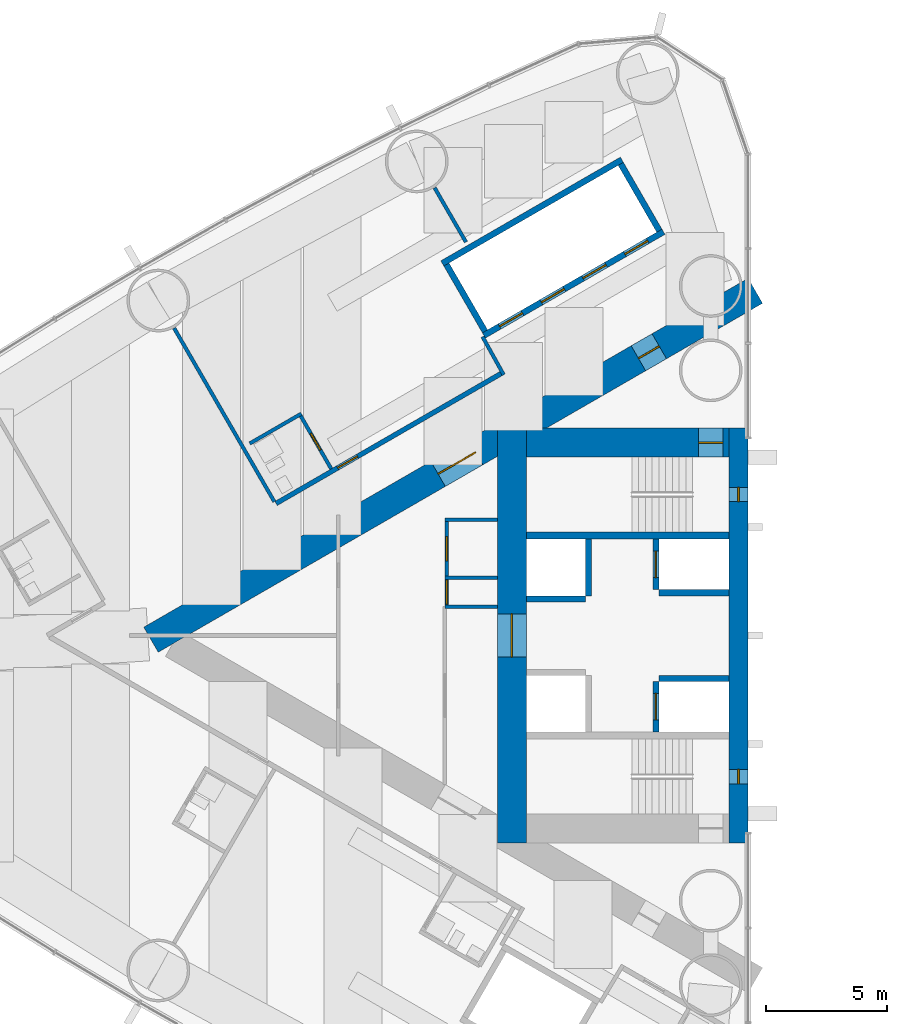
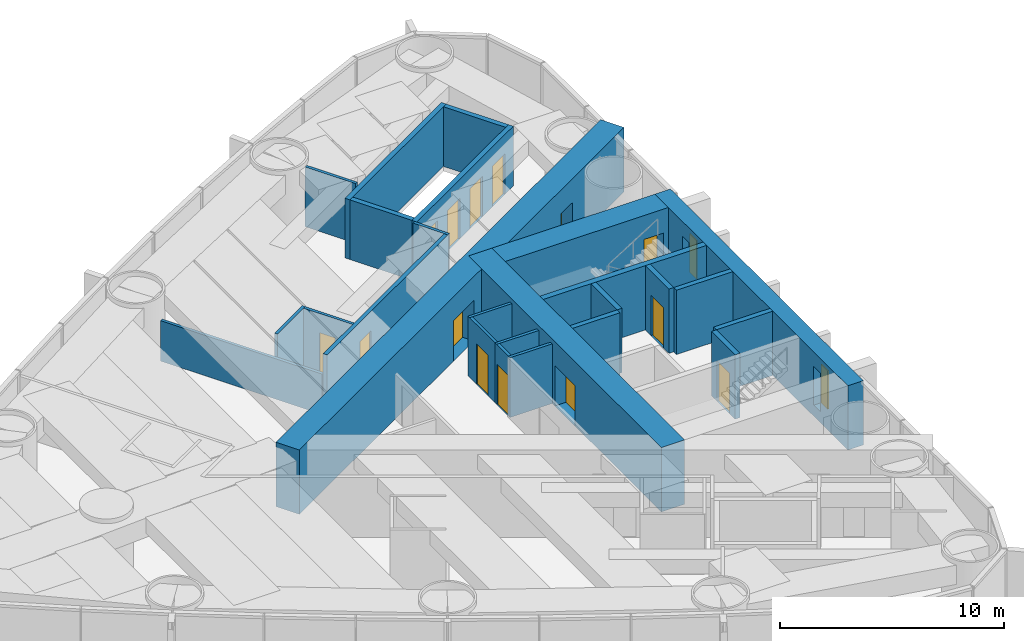
# One storey, part 12 of 18: 26 walls, 14 doors, 2 windows, 16 openings.
"""IFC4 building model written with IfcOpenShell, lengths in metres."""

from ifc_helpers import new_model, si_unit, direction, frame, frame_2d, origin, place, context, subcontext, project, spatial, rectangle, extrude, material, layer, layer_set, type_object, element, fill, save


model = new_model("IFC4")

# Units and contexts
model_context = context("Model", 3, precision=1e-05, world=origin(), true_north=direction((0.0, 1.0)))
body_context = subcontext(model_context, "Body", "Model", "MODEL_VIEW")
ifc_project = project(units=[si_unit("LENGTHUNIT", "METRE"), si_unit("AREAUNIT", "SQUARE_METRE"), si_unit("VOLUMEUNIT", "CUBIC_METRE"), si_unit("PLANEANGLEUNIT", "RADIAN"), si_unit("MASSUNIT", "GRAM", prefix="KILO")], contexts=[model_context])

# Site, building, storey
site_placement = place(None, origin())
site = spatial("IfcSite", under=ifc_project, at=site_placement, CompositionType="ELEMENT")
building_placement = place(site_placement, origin())
building = spatial("IfcBuilding", under=site, at=building_placement, Name="Lancet Gate Hotel", CompositionType="ELEMENT")
storey_placement = place(building_placement, frame((0.0, 0.0, 129.10009765625)))
storey = spatial("IfcBuildingStorey", under=building, at=storey_placement, Name="L34", CompositionType="ELEMENT", Elevation=129.10009765625)

# Wall
ifc_material_1 = material(Name="Moisture resistant board partition")
ifc_layer_1 = layer(ifc_material_1, 0.14990234375)
ifc_layer_set_1 = layer_set([ifc_layer_1], Name="Bathroom wall 150")
wall_type_1 = type_object("IfcWallType", Name="Bathroom wall 150", PredefinedType="PARTITIONING", material=ifc_layer_set_1)
wall_1_placement = place(storey_placement, frame((-46.0263671875, 9.2041015625, 0.0), z_axis=(0.0, 0.0, 1.0), x_axis=(-0.866006523861, -0.500032699561, 0.0)))
element("IfcWall", 1, at=wall_1_placement, inside=storey, type_object=wall_type_1, Name="T1 bathroom wall 150 L34", PredefinedType="PARTITIONING", context=body_context, shape_type="SweptSolid", body=[
    extrude(rectangle(XDim=2.474853515625, YDim=0.14990234375, at=frame_2d((1.2373046875, 0.0))), origin(), (0.0, 0.0, 1.0), 3.25),
])

# Wall, opening, door
wall_2_placement = place(storey_placement, frame((-44.791259765625, 6.9150390625, 0.0), z_axis=(0.0, 0.0, 1.0), x_axis=(-0.500047596559, 0.865997922154, 0.0)))
wall_2 = element("IfcWall", 2, at=wall_2_placement, inside=storey, type_object=wall_type_1, Name="T1 bathroom wall 150 L34", PredefinedType="PARTITIONING", context=body_context, shape_type="SweptSolid", body=[
    extrude(rectangle(XDim=2.599853515625, YDim=0.14990234375, at=frame_2d((1.2998046875, 0.0))), origin(), (0.0, 0.0, 1.0), 3.25),
])
opening_1_placement = place(wall_2_placement, frame((0.89990234375, 0.0, 0.0)))
opening_1 = element("IfcOpeningElement", 3, at=opening_1_placement, cuts=wall_2, Name="Opening 3402-B", PredefinedType="OPENING", context=body_context, shape_type="SweptSolid", body=[
    extrude(rectangle(XDim=0.800048828125, YDim=2.199951171875, at=frame_2d((0.39990234375, 1.10009765625))), frame((0.0, 0.0849609375, 0.0), z_axis=(0.0, -1.0, 0.0), x_axis=(1.0, 0.0, 0.0)), (0.0, 0.0, 1.0), 0.169921875),
])
ifc_material_2 = material(Name="Timber door set", Category="wood")
door_type_1 = type_object("IfcDoorType", Name="Bathroom door 800", OperationType="SINGLE_SWING_RIGHT", PredefinedType="DOOR", material=ifc_material_2)
door_1_placement = place(opening_1_placement, origin())
door_1 = element("IfcDoor", 4, at=door_1_placement, inside=storey, type_object=door_type_1, Name="3402-B", OperationType="SINGLE_SWING_RIGHT", OverallHeight=2.199951171875, OverallWidth=0.800048828125, PredefinedType="DOOR", context=body_context, shape_type="SweptSolid", body=[
    extrude(rectangle(XDim=0.800048828125, YDim=2.199951171875, at=frame_2d((0.39990234375, 1.10009765625))), frame((0.0, 0.02490234375, 0.0), z_axis=(0.0, -1.0, 0.0), x_axis=(1.0, 0.0, 0.0)), (0.0, 0.0, 1.0), 0.050048828125),
])
fill(opening_1, door_1)

# Wall, openings, doors
ifc_material_3 = material(Name="Concrete C70/85", Category="concrete")
ifc_layer_2 = layer(ifc_material_3, 1.199951171875)
ifc_layer_set_2 = layer_set([ifc_layer_2], Name="Buttress wall 1200")
wall_type_2 = type_object("IfcWallType", Name="Buttress wall 1200", PredefinedType="SHEAR", material=ifc_layer_set_2)
wall_3_placement = place(storey_placement, frame((-27.199951171875, 14.300048828125, 0.0), z_axis=(0.0, 0.0, 1.0), x_axis=(-0.866026593062, -0.499997940104, 0.0)))
wall_3 = element("IfcWall", 5, at=wall_3_placement, inside=storey, type_object=wall_type_2, Name="T1 buttress wall S L34", PredefinedType="SHEAR", context=body_context, shape_type="SweptSolid", body=[
    extrude(rectangle(XDim=28.9462890625, YDim=1.199951171875, at=frame_2d((14.47314453125, 0.0))), origin(), (0.0, 0.0, 1.0), 3.5),
])
opening_2_placement = place(wall_3_placement, frame((4.60009765625, 0.0, 0.0)))
opening_2 = element("IfcOpeningElement", 6, at=opening_2_placement, cuts=wall_3, Name="Opening T1-L34-LS", PredefinedType="OPENING", context=body_context, shape_type="SweptSolid", body=[
    extrude(rectangle(XDim=1.0, YDim=2.199951171875, at=frame_2d((0.5, 1.10009765625))), frame((0.0, 0.60986328125, 0.0), z_axis=(0.0, -1.0, 0.0), x_axis=(1.0, 0.0, 0.0)), (0.0, 0.0, 1.0), 1.219970703125),
])
opening_3_placement = place(wall_3_placement, frame((13.39453125, 0.0, 0.0)))
opening_3 = element("IfcOpeningElement", 7, at=opening_3_placement, cuts=wall_3, Name="Opening T1-L34-LHS", PredefinedType="OPENING", context=body_context, shape_type="SweptSolid", body=[
    extrude(rectangle(XDim=1.800048828125, YDim=2.199951171875, at=frame_2d((0.89990234375, 1.10009765625))), frame((0.0, 0.60986328125, 0.0), z_axis=(0.0, -1.0, 0.0), x_axis=(1.0, 0.0, 0.0)), (0.0, 0.0, 1.0), 1.219970703125),
])
ifc_material_4 = material(Name="Timber door set", Category="wood")
door_type_2 = type_object("IfcDoorType", Name="Lobby double door 1800", OperationType="DOUBLE_DOOR_SINGLE_SWING", PredefinedType="DOOR", material=ifc_material_4)
door_2_placement = place(opening_3_placement, origin())
door_2 = element("IfcDoor", 8, at=door_2_placement, inside=storey, type_object=door_type_2, Name="T1-L34-LHS", OperationType="DOUBLE_DOOR_SINGLE_SWING", OverallHeight=2.199951171875, OverallWidth=1.800048828125, PredefinedType="DOOR", context=body_context, shape_type="SweptSolid", body=[
    extrude(rectangle(XDim=1.800048828125, YDim=2.199951171875, at=frame_2d((0.89990234375, 1.10009765625))), frame((0.0, 0.02490234375, 0.0), z_axis=(0.0, -1.0, 0.0), x_axis=(1.0, 0.0, 0.0)), (0.0, 0.0, 1.0), 0.050048828125),
])
fill(opening_3, door_2)
ifc_material_5 = material(Name="Timber door set", Category="wood")
door_type_3 = type_object("IfcDoorType", Name="Stair lobby door 1000", OperationType="SINGLE_SWING_LEFT", PredefinedType="DOOR", material=ifc_material_5)
door_3_placement = place(opening_2_placement, origin())
door_3 = element("IfcDoor", 9, at=door_3_placement, inside=storey, type_object=door_type_3, Name="T1-L34-LS", OperationType="SINGLE_SWING_LEFT", OverallHeight=2.199951171875, OverallWidth=1.0, PredefinedType="DOOR", context=body_context, shape_type="SweptSolid", body=[
    extrude(rectangle(XDim=1.0, YDim=2.199951171875, at=frame_2d((0.5, 1.10009765625))), frame((0.0, 0.02490234375, 0.0), z_axis=(0.0, -1.0, 0.0), x_axis=(1.0, 0.0, 0.0)), (0.0, 0.0, 1.0), 0.050048828125),
])
fill(opening_2, door_3)

# Wall, opening, door
ifc_material_6 = material(Name="Concrete C70/85", Category="concrete")
ifc_layer_3 = layer(ifc_material_6, 1.199951171875)
ifc_layer_set_3 = layer_set([ifc_layer_3], Name="Core wall 1200")
wall_type_3 = type_object("IfcWallType", Name="Core wall 1200", PredefinedType="SHEAR", material=ifc_layer_set_3)
wall_4_placement = place(storey_placement, frame((-37.300048828125, 8.60009765625, 0.0), z_axis=(0.0, 0.0, 1.0), x_axis=(0.0, -1.0, 0.0)))
wall_4 = element("IfcWall", 10, at=wall_4_placement, inside=storey, type_object=wall_type_3, Name="T1 core wall back L34", PredefinedType="SHEAR", context=body_context, shape_type="SweptSolid", body=[
    extrude(rectangle(XDim=17.2001953125, YDim=1.199951171875, at=frame_2d((8.60009765625, 0.0))), origin(), (0.0, 0.0, 1.0), 3.5),
])
opening_4_placement = place(wall_4_placement, frame((7.699951171875, 0.0, 0.0)))
opening_4 = element("IfcOpeningElement", 11, at=opening_4_placement, cuts=wall_4, Name="Opening T1-L34-LL", PredefinedType="OPENING", context=body_context, shape_type="SweptSolid", body=[
    extrude(rectangle(XDim=1.800048828125, YDim=2.199951171875, at=frame_2d((0.89990234375, 1.10009765625))), frame((0.0, 0.60986328125, 0.0), z_axis=(0.0, -1.0, 0.0), x_axis=(1.0, 0.0, 0.0)), (0.0, 0.0, 1.0), 1.219970703125),
])
door_4_placement = place(opening_4_placement, origin())
door_4 = element("IfcDoor", 12, at=door_4_placement, inside=storey, type_object=door_type_2, Name="T1-L34-LL", OperationType="DOUBLE_DOOR_SINGLE_SWING", OverallHeight=2.199951171875, OverallWidth=1.800048828125, PredefinedType="DOOR", context=body_context, shape_type="SweptSolid", body=[
    extrude(rectangle(XDim=1.800048828125, YDim=2.199951171875, at=frame_2d((0.89990234375, 1.10009765625))), frame((0.0, 0.02490234375, 0.0), z_axis=(0.0, -1.0, 0.0), x_axis=(1.0, 0.0, 0.0)), (0.0, 0.0, 1.0), 0.050048828125),
])
fill(opening_4, door_4)

wall_5_placement = place(storey_placement, frame((-28.300048828125, 8.0, 0.0), z_axis=(0.0, 0.0, 1.0), x_axis=(-1.0, 0.0, 0.0)))
wall_5 = element("IfcWall", 13, at=wall_5_placement, inside=storey, type_object=wall_type_3, Name="T1 core wall side-S L34", PredefinedType="SHEAR", context=body_context, shape_type="SweptSolid", body=[
    extrude(rectangle(XDim=8.39990234375, YDim=1.199951171875, at=frame_2d((4.199951171875, 0.0))), origin(), (0.0, 0.0, 1.0), 3.5),
])
opening_5_placement = place(wall_5_placement, frame((0.25, 0.0, 0.0)))
opening_5 = element("IfcOpeningElement", 14, at=opening_5_placement, cuts=wall_5, Name="Opening T1-L34-ST1", PredefinedType="OPENING", context=body_context, shape_type="SweptSolid", body=[
    extrude(rectangle(XDim=1.0, YDim=2.199951171875, at=frame_2d((0.5, 1.10009765625))), frame((0.0, 0.60986328125, 0.0), z_axis=(0.0, -1.0, 0.0), x_axis=(1.0, 0.0, 0.0)), (0.0, 0.0, 1.0), 1.219970703125),
])
ifc_material_7 = material(Name="Timber door set", Category="wood")
door_type_4 = type_object("IfcDoorType", Name="Stair door 1000", OperationType="SINGLE_SWING_RIGHT", PredefinedType="DOOR", material=ifc_material_7)
door_5_placement = place(opening_5_placement, origin())
door_5 = element("IfcDoor", 15, at=door_5_placement, inside=storey, type_object=door_type_4, Name="T1-L34-ST1", OperationType="SINGLE_SWING_RIGHT", OverallHeight=2.199951171875, OverallWidth=1.0, PredefinedType="DOOR", context=body_context, shape_type="SweptSolid", body=[
    extrude(rectangle(XDim=1.0, YDim=2.199951171875, at=frame_2d((0.5, 1.10009765625))), frame((0.0, 0.02490234375, 0.0), z_axis=(0.0, -1.0, 0.0), x_axis=(1.0, 0.0, 0.0)), (0.0, 0.0, 1.0), 0.050048828125),
])
fill(opening_5, door_5)

# Wall, openings, windows
ifc_material_8 = material(Name="Concrete C70/85", Category="concrete")
ifc_layer_4 = layer(ifc_material_8, 0.800048828125)
ifc_layer_set_4 = layer_set([ifc_layer_4], Name="Core wall 800")
wall_type_4 = type_object("IfcWallType", Name="Core wall 800", PredefinedType="SHEAR", material=ifc_layer_set_4)
wall_6_placement = place(storey_placement, frame((-27.89990234375, 8.60009765625, 0.0), z_axis=(0.0, 0.0, 1.0), x_axis=(0.0, -1.0, 0.0)))
wall_6 = element("IfcWall", 16, at=wall_6_placement, inside=storey, type_object=wall_type_4, Name="T1 core wall front L34", PredefinedType="SHEAR", context=body_context, shape_type="SweptSolid", body=[
    extrude(rectangle(XDim=17.2001953125, YDim=0.800048828125, at=frame_2d((8.60009765625, 0.0))), origin(), (0.0, 0.0, 1.0), 3.5),
])
opening_6_placement = place(wall_6_placement, frame((2.449951171875, 0.0, 0.60009765625)))
opening_6 = element("IfcOpeningElement", 17, at=opening_6_placement, cuts=wall_6, Name="Opening LW1", PredefinedType="OPENING", context=body_context, shape_type="SweptSolid", body=[
    extrude(rectangle(XDim=0.60009765625, YDim=2.10009765625, at=frame_2d((0.300048828125, 1.050048828125))), frame((0.0, 0.409912109375, 0.0), z_axis=(0.0, -1.0, 0.0), x_axis=(1.0, 0.0, 0.0)), (0.0, 0.0, 1.0), 0.820068359375),
])
opening_7_placement = place(wall_6_placement, frame((14.14990234375, 0.0, 0.60009765625)))
opening_7 = element("IfcOpeningElement", 18, at=opening_7_placement, cuts=wall_6, Name="Opening LW1", PredefinedType="OPENING", context=body_context, shape_type="SweptSolid", body=[
    extrude(rectangle(XDim=0.60009765625, YDim=2.10009765625, at=frame_2d((0.300048828125, 1.050048828125))), frame((0.0, 0.409912109375, 0.0), z_axis=(0.0, -1.0, 0.0), x_axis=(1.0, 0.0, 0.0)), (0.0, 0.0, 1.0), 0.820068359375),
])
ifc_material_9 = material(Name="Fire-resisting glazed steel window", Category="steel")
window_type = type_object("IfcWindowType", Name="Lancet window 600x2100", PartitioningType="SINGLE_PANEL", PredefinedType="WINDOW", material=ifc_material_9)
window_1_placement = place(opening_6_placement, origin())
window_1 = element("IfcWindow", 19, at=window_1_placement, inside=storey, type_object=window_type, Name="T1 stair window S L34", OverallHeight=2.10009765625, OverallWidth=0.60009765625, PartitioningType="SINGLE_PANEL", PredefinedType="WINDOW", context=body_context, shape_type="SweptSolid", body=[
    extrude(rectangle(XDim=0.60009765625, YDim=2.10009765625, at=frame_2d((0.300048828125, 1.050048828125))), frame((0.0, 0.030029296875, 0.0), z_axis=(0.0, -1.0, 0.0), x_axis=(1.0, 0.0, 0.0)), (0.0, 0.0, 1.0), 0.06005859375),
])
fill(opening_6, window_1)
window_2_placement = place(opening_7_placement, origin())
window_2 = element("IfcWindow", 20, at=window_2_placement, inside=storey, type_object=window_type, Name="T1 stair window N L34", OverallHeight=2.10009765625, OverallWidth=0.60009765625, PartitioningType="SINGLE_PANEL", PredefinedType="WINDOW", context=body_context, shape_type="SweptSolid", body=[
    extrude(rectangle(XDim=0.60009765625, YDim=2.10009765625, at=frame_2d((0.300048828125, 1.050048828125))), frame((0.0, 0.030029296875, 0.0), z_axis=(0.0, -1.0, 0.0), x_axis=(1.0, 0.0, 0.0)), (0.0, 0.0, 1.0), 0.06005859375),
])
fill(opening_7, window_2)

# Wall, opening, door
ifc_material_10 = material(Name="Gypsum board partition")
ifc_layer_5 = layer(ifc_material_10, 0.199951171875)
ifc_layer_set_5 = layer_set([ifc_layer_5], Name="Corridor wall 200")
wall_type_5 = type_object("IfcWallType", Name="Corridor wall 200", PredefinedType="PARTITIONING", material=ifc_layer_set_5)
wall_7_placement = place(storey_placement, frame((-37.699951171875, 10.8935546875, 0.0), z_axis=(0.0, 0.0, 1.0), x_axis=(-0.866027551079, -0.499996280759, 0.0)))
wall_7 = element("IfcWall", 21, at=wall_7_placement, inside=storey, type_object=wall_type_5, Name="T1 corridor wall 200 L34", PredefinedType="PARTITIONING", context=body_context, shape_type="SweptSolid", body=[
    extrude(rectangle(XDim=10.83056640625, YDim=0.199951171875, at=frame_2d((5.415283203125, 0.0))), origin(), (0.0, 0.0, 1.0), 3.25),
])
opening_8_placement = place(wall_7_placement, frame((6.930419921875, 0.0, 0.0)))
opening_8 = element("IfcOpeningElement", 22, at=opening_8_placement, cuts=wall_7, Name="Opening 3402-E", PredefinedType="OPENING", context=body_context, shape_type="SweptSolid", body=[
    extrude(rectangle(XDim=0.949951171875, YDim=2.199951171875, at=frame_2d((0.47509765625, 1.10009765625))), frame((0.0, 0.10986328125, 0.0), z_axis=(0.0, -1.0, 0.0), x_axis=(1.0, 0.0, 0.0)), (0.0, 0.0, 1.0), 0.219970703125),
])
ifc_material_11 = material(Name="Timber door set", Category="wood")
door_type_5 = type_object("IfcDoorType", Name="Guest room entry door 950", OperationType="SINGLE_SWING_LEFT", PredefinedType="DOOR", material=ifc_material_11)
door_6_placement = place(opening_8_placement, origin())
door_6 = element("IfcDoor", 23, at=door_6_placement, inside=storey, type_object=door_type_5, Name="3402-E", OperationType="SINGLE_SWING_LEFT", OverallHeight=2.199951171875, OverallWidth=0.949951171875, PredefinedType="DOOR", context=body_context, shape_type="SweptSolid", body=[
    extrude(rectangle(XDim=0.949951171875, YDim=2.199951171875, at=frame_2d((0.47509765625, 1.10009765625))), frame((0.0, 0.02490234375, 0.0), z_axis=(0.0, -1.0, 0.0), x_axis=(1.0, 0.0, 0.0)), (0.0, 0.0, 1.0), 0.050048828125),
])
fill(opening_8, door_6)

# Wall, openings, doors
ifc_material_12 = material(Name="Gypsum board partition")
ifc_layer_6 = layer(ifc_material_12, 0.25)
ifc_layer_set_6 = layer_set([ifc_layer_6], Name="Lift shaft partition 250")
wall_type_6 = type_object("IfcWallType", Name="Lift shaft partition 250", PredefinedType="PARTITIONING", material=ifc_layer_set_6)
wall_8_placement = place(storey_placement, frame((-31.010498046875, 16.747314453125, 0.0), z_axis=(0.0, 0.0, 1.0), x_axis=(-0.866028165386, -0.499995216735, 0.0)))
wall_8 = element("IfcWall", 24, at=wall_8_placement, inside=storey, type_object=wall_type_6, Name="T1 lift shaft wall LR L34", PredefinedType="PARTITIONING", context=body_context, shape_type="SweptSolid", body=[
    extrude(rectangle(XDim=8.60009765625, YDim=0.25, at=frame_2d((4.300048828125, 0.0))), origin(), (0.0, 0.0, 1.0), 3.25),
])
opening_9_placement = place(wall_8_placement, frame((0.75, 0.0, 0.0)))
opening_9 = element("IfcOpeningElement", 25, at=opening_9_placement, cuts=wall_8, Name="Opening T1-LR1-L34", PredefinedType="OPENING", context=body_context, shape_type="SweptSolid", body=[
    extrude(rectangle(XDim=1.10009765625, YDim=2.199951171875, at=frame_2d((0.550048828125, 1.10009765625))), frame((0.0, 0.135009765625, 0.0), z_axis=(0.0, -1.0, 0.0), x_axis=(1.0, 0.0, 0.0)), (0.0, 0.0, 1.0), 0.27001953125),
])
opening_10_placement = place(wall_8_placement, frame((2.75, 0.0, 0.0)))
opening_10 = element("IfcOpeningElement", 26, at=opening_10_placement, cuts=wall_8, Name="Opening T1-LR2-L34", PredefinedType="OPENING", context=body_context, shape_type="SweptSolid", body=[
    extrude(rectangle(XDim=1.10009765625, YDim=2.199951171875, at=frame_2d((0.550048828125, 1.10009765625))), frame((0.0, 0.135009765625, 0.0), z_axis=(0.0, -1.0, 0.0), x_axis=(1.0, 0.0, 0.0)), (0.0, 0.0, 1.0), 0.27001953125),
])
opening_11_placement = place(wall_8_placement, frame((4.75, 0.0, 0.0)))
opening_11 = element("IfcOpeningElement", 27, at=opening_11_placement, cuts=wall_8, Name="Opening T1-LR3-L34", PredefinedType="OPENING", context=body_context, shape_type="SweptSolid", body=[
    extrude(rectangle(XDim=1.10009765625, YDim=2.199951171875, at=frame_2d((0.550048828125, 1.10009765625))), frame((0.0, 0.135009765625, 0.0), z_axis=(0.0, -1.0, 0.0), x_axis=(1.0, 0.0, 0.0)), (0.0, 0.0, 1.0), 0.27001953125),
])
opening_12_placement = place(wall_8_placement, frame((6.75, 0.0, 0.0)))
opening_12 = element("IfcOpeningElement", 28, at=opening_12_placement, cuts=wall_8, Name="Opening T1-LR4-L34", PredefinedType="OPENING", context=body_context, shape_type="SweptSolid", body=[
    extrude(rectangle(XDim=1.10009765625, YDim=2.199951171875, at=frame_2d((0.550048828125, 1.10009765625))), frame((0.0, 0.135009765625, 0.0), z_axis=(0.0, -1.0, 0.0), x_axis=(1.0, 0.0, 0.0)), (0.0, 0.0, 1.0), 0.27001953125),
])
ifc_material_13 = material(Name="Steel door set", Category="steel")
door_type_6 = type_object("IfcDoorType", Name="Lift landing door 1100", OperationType="DOUBLE_DOOR_SLIDING", PredefinedType="USERDEFINED", material=ifc_material_13)
door_7_placement = place(opening_9_placement, origin())
door_7 = element("IfcDoor", 29, at=door_7_placement, inside=storey, type_object=door_type_6, Name="T1-LR1-L34", ObjectType="LIFT LANDING DOOR", OperationType="DOUBLE_DOOR_SLIDING", OverallHeight=2.199951171875, OverallWidth=1.10009765625, PredefinedType="USERDEFINED", context=body_context, shape_type="SweptSolid", body=[
    extrude(rectangle(XDim=1.10009765625, YDim=2.199951171875, at=frame_2d((0.550048828125, 1.10009765625))), frame((0.0, 0.02490234375, 0.0), z_axis=(0.0, -1.0, 0.0), x_axis=(1.0, 0.0, 0.0)), (0.0, 0.0, 1.0), 0.050048828125),
])
fill(opening_9, door_7)
door_8_placement = place(opening_10_placement, origin())
door_8 = element("IfcDoor", 30, at=door_8_placement, inside=storey, type_object=door_type_6, Name="T1-LR2-L34", ObjectType="LIFT LANDING DOOR", OperationType="DOUBLE_DOOR_SLIDING", OverallHeight=2.199951171875, OverallWidth=1.10009765625, PredefinedType="USERDEFINED", context=body_context, shape_type="SweptSolid", body=[
    extrude(rectangle(XDim=1.10009765625, YDim=2.199951171875, at=frame_2d((0.550048828125, 1.10009765625))), frame((0.0, 0.02490234375, 0.0), z_axis=(0.0, -1.0, 0.0), x_axis=(1.0, 0.0, 0.0)), (0.0, 0.0, 1.0), 0.050048828125),
])
fill(opening_10, door_8)
door_9_placement = place(opening_11_placement, origin())
door_9 = element("IfcDoor", 31, at=door_9_placement, inside=storey, type_object=door_type_6, Name="T1-LR3-L34", ObjectType="LIFT LANDING DOOR", OperationType="DOUBLE_DOOR_SLIDING", OverallHeight=2.199951171875, OverallWidth=1.10009765625, PredefinedType="USERDEFINED", context=body_context, shape_type="SweptSolid", body=[
    extrude(rectangle(XDim=1.10009765625, YDim=2.199951171875, at=frame_2d((0.550048828125, 1.10009765625))), frame((0.0, 0.02490234375, 0.0), z_axis=(0.0, -1.0, 0.0), x_axis=(1.0, 0.0, 0.0)), (0.0, 0.0, 1.0), 0.050048828125),
])
fill(opening_11, door_9)
door_10_placement = place(opening_12_placement, origin())
door_10 = element("IfcDoor", 32, at=door_10_placement, inside=storey, type_object=door_type_6, Name="T1-LR4-L34", ObjectType="LIFT LANDING DOOR", OperationType="DOUBLE_DOOR_SLIDING", OverallHeight=2.199951171875, OverallWidth=1.10009765625, PredefinedType="USERDEFINED", context=body_context, shape_type="SweptSolid", body=[
    extrude(rectangle(XDim=1.10009765625, YDim=2.199951171875, at=frame_2d((0.550048828125, 1.10009765625))), frame((0.0, 0.02490234375, 0.0), z_axis=(0.0, -1.0, 0.0), x_axis=(1.0, 0.0, 0.0)), (0.0, 0.0, 1.0), 0.050048828125),
])
fill(opening_12, door_10)

# Walls
wall_9_placement = place(storey_placement, frame((-32.735595703125, 19.73583984375, 0.0), z_axis=(0.0, 0.0, 1.0), x_axis=(-0.866028165386, -0.499995216735, 0.0)))
element("IfcWall", 33, at=wall_9_placement, inside=storey, type_object=wall_type_6, Name="T1 lift shaft wall LR L34", PredefinedType="PARTITIONING", context=body_context, shape_type="SweptSolid", body=[
    extrude(rectangle(XDim=8.60009765625, YDim=0.25, at=frame_2d((4.300048828125, 0.0))), origin(), (0.0, 0.0, 1.0), 3.25),
])
wall_10_placement = place(storey_placement, frame((-31.18115234375, 16.79296875, 0.0), z_axis=(0.0, 0.0, 1.0), x_axis=(-0.499929347863, 0.866066190972, 0.0)))
element("IfcWall", 34, at=wall_10_placement, inside=storey, type_object=wall_type_6, Name="T1 lift shaft wall LR L34", PredefinedType="PARTITIONING", context=body_context, shape_type="SweptSolid", body=[
    extrude(rectangle(XDim=3.20068359375, YDim=0.25, at=frame_2d((1.600341796875, 0.0))), origin(), (0.0, 0.0, 1.0), 3.25),
])
wall_11_placement = place(storey_placement, frame((-38.412841796875, 12.617919921875, 0.0), z_axis=(0.0, 0.0, 1.0), x_axis=(-0.499872130319, 0.866099216793, 0.0)))
element("IfcWall", 35, at=wall_11_placement, inside=storey, type_object=wall_type_6, Name="T1 lift shaft wall LR L34", PredefinedType="PARTITIONING", context=body_context, shape_type="SweptSolid", body=[
    extrude(rectangle(XDim=3.200439453125, YDim=0.25, at=frame_2d((1.60009765625, 0.0))), origin(), (0.0, 0.0, 1.0), 3.25),
])

# Wall, opening, door
ifc_material_14 = material(Name="Concrete C50/60", Category="concrete")
ifc_layer_7 = layer(ifc_material_14, 0.25)
ifc_layer_set_7 = layer_set([ifc_layer_7], Name="Lift shaft wall 250")
wall_type_7 = type_object("IfcWallType", Name="Lift shaft wall 250", PredefinedType="SHEAR", material=ifc_layer_set_7)
wall_12_placement = place(storey_placement, frame((-31.324951171875, 4.0, 0.0), z_axis=(0.0, 0.0, 1.0), x_axis=(0.0, -1.0, 0.0)))
wall_12 = element("IfcWall", 36, at=wall_12_placement, inside=storey, type_object=wall_type_7, Name="T1 core wall row1-S L34", PredefinedType="SHEAR", context=body_context, shape_type="SweptSolid", body=[
    extrude(rectangle(XDim=2.10009765625, YDim=0.25, at=frame_2d((1.050048828125, 0.0))), origin(), (0.0, 0.0, 1.0), 3.5),
])
opening_13_placement = place(wall_12_placement, frame((0.5, 0.0, 0.0)))
opening_13 = element("IfcOpeningElement", 37, at=opening_13_placement, cuts=wall_12, Name="Opening T1-SL1-L34", PredefinedType="OPENING", context=body_context, shape_type="SweptSolid", body=[
    extrude(rectangle(XDim=1.10009765625, YDim=2.199951171875, at=frame_2d((0.550048828125, 1.10009765625))), frame((0.0, 0.135009765625, 0.0), z_axis=(0.0, -1.0, 0.0), x_axis=(1.0, 0.0, 0.0)), (0.0, 0.0, 1.0), 0.27001953125),
])
ifc_material_15 = material(Name="Timber door set", Category="wood")
door_type_7 = type_object("IfcDoorType", Name="Service lift landing door 1100", OperationType="SLIDING_TO_LEFT", PredefinedType="USERDEFINED", material=ifc_material_15)
door_11_placement = place(opening_13_placement, origin())
door_11 = element("IfcDoor", 38, at=door_11_placement, inside=storey, type_object=door_type_7, Name="T1-SL1-L34", ObjectType="LIFT LANDING DOOR", OperationType="SLIDING_TO_LEFT", OverallHeight=2.199951171875, OverallWidth=1.10009765625, PredefinedType="USERDEFINED", context=body_context, shape_type="SweptSolid", body=[
    extrude(rectangle(XDim=1.10009765625, YDim=2.199951171875, at=frame_2d((0.550048828125, 1.10009765625))), frame((0.0, 0.02490234375, 0.0), z_axis=(0.0, -1.0, 0.0), x_axis=(1.0, 0.0, 0.0)), (0.0, 0.0, 1.0), 0.050048828125),
])
fill(opening_13, door_11)

# Walls
wall_13_placement = place(storey_placement, frame((-34.125, 4.0, 0.0), z_axis=(0.0, 0.0, 1.0), x_axis=(0.0, -1.0, 0.0)))
element("IfcWall", 39, at=wall_13_placement, inside=storey, type_object=wall_type_7, Name="T1 core wall row2-S L34", PredefinedType="SHEAR", context=body_context, shape_type="SweptSolid", body=[
    extrude(rectangle(XDim=2.35009765625, YDim=0.25, at=frame_2d((1.175048828125, 0.0))), origin(), (0.0, 0.0, 1.0), 3.5),
])
wall_14_placement = place(storey_placement, frame((-28.300048828125, 1.77490234375, 0.0), z_axis=(0.0, 0.0, 1.0), x_axis=(-1.0, 0.0, 0.0)))
element("IfcWall", 40, at=wall_14_placement, inside=storey, type_object=wall_type_7, Name="T1 core wall pass1-S L34", PredefinedType="SHEAR", context=body_context, shape_type="SweptSolid", body=[
    extrude(rectangle(XDim=2.89990234375, YDim=0.25, at=frame_2d((1.449951171875, 0.0))), origin(), (0.0, 0.0, 1.0), 3.5),
])
wall_15_placement = place(storey_placement, frame((-34.25, 1.52490234375, 0.0), z_axis=(0.0, 0.0, 1.0), x_axis=(-1.0, 0.0, 0.0)))
element("IfcWall", 41, at=wall_15_placement, inside=storey, type_object=wall_type_7, Name="T1 core wall pass2-S L34", PredefinedType="SHEAR", context=body_context, shape_type="SweptSolid", body=[
    extrude(rectangle(XDim=2.449951171875, YDim=0.25, at=frame_2d((1.22509765625, 0.0))), origin(), (0.0, 0.0, 1.0), 3.5),
])

# Wall, opening, door
wall_16_placement = place(storey_placement, frame((-31.324951171875, -1.89990234375, 0.0), z_axis=(0.0, 0.0, 1.0), x_axis=(0.0, -1.0, 0.0)))
wall_16 = element("IfcWall", 42, at=wall_16_placement, inside=storey, type_object=wall_type_7, Name="T1 core wall row1-N L34", PredefinedType="SHEAR", context=body_context, shape_type="SweptSolid", body=[
    extrude(rectangle(XDim=2.10009765625, YDim=0.25, at=frame_2d((1.050048828125, 0.0))), origin(), (0.0, 0.0, 1.0), 3.5),
])
opening_14_placement = place(wall_16_placement, frame((0.5, 0.0, 0.0)))
opening_14 = element("IfcOpeningElement", 43, at=opening_14_placement, cuts=wall_16, Name="Opening T1-FL2-L34", PredefinedType="OPENING", context=body_context, shape_type="SweptSolid", body=[
    extrude(rectangle(XDim=1.10009765625, YDim=2.199951171875, at=frame_2d((0.550048828125, 1.10009765625))), frame((0.0, 0.135009765625, 0.0), z_axis=(0.0, -1.0, 0.0), x_axis=(1.0, 0.0, 0.0)), (0.0, 0.0, 1.0), 0.27001953125),
])
ifc_material_16 = material(Name="Steel door set", Category="steel")
door_type_8 = type_object("IfcDoorType", Name="Firefighting lift landing door 1100", OperationType="SLIDING_TO_LEFT", PredefinedType="USERDEFINED", material=ifc_material_16)
door_12_placement = place(opening_14_placement, origin())
door_12 = element("IfcDoor", 44, at=door_12_placement, inside=storey, type_object=door_type_8, Name="T1-FL2-L34", ObjectType="LIFT LANDING DOOR", OperationType="SLIDING_TO_LEFT", OverallHeight=2.199951171875, OverallWidth=1.10009765625, PredefinedType="USERDEFINED", context=body_context, shape_type="SweptSolid", body=[
    extrude(rectangle(XDim=1.10009765625, YDim=2.199951171875, at=frame_2d((0.550048828125, 1.10009765625))), frame((0.0, 0.02490234375, 0.0), z_axis=(0.0, -1.0, 0.0), x_axis=(1.0, 0.0, 0.0)), (0.0, 0.0, 1.0), 0.050048828125),
])
fill(opening_14, door_12)

# Walls
wall_17_placement = place(storey_placement, frame((-28.300048828125, -1.77490234375, 0.0), z_axis=(0.0, 0.0, 1.0), x_axis=(-1.0, 0.0, 0.0)))
element("IfcWall", 45, at=wall_17_placement, inside=storey, type_object=wall_type_7, Name="T1 core wall pass1-N L34", PredefinedType="SHEAR", context=body_context, shape_type="SweptSolid", body=[
    extrude(rectangle(XDim=2.89990234375, YDim=0.25, at=frame_2d((1.449951171875, 0.0))), origin(), (0.0, 0.0, 1.0), 3.5),
])
ifc_material_17 = material(Name="Gypsum board partition")
ifc_layer_8 = layer(ifc_material_17, 0.14990234375)
ifc_layer_set_8 = layer_set([ifc_layer_8], Name="Party wall 150")
wall_type_8 = type_object("IfcWallType", Name="Party wall 150", PredefinedType="PARTITIONING", material=ifc_layer_set_8)
wall_18_placement = place(storey_placement, frame((-47.151123046875, 5.552490234375, 0.0), z_axis=(0.0, 0.0, 1.0), x_axis=(-0.500003012045, 0.866023664773, 0.0)))
element("IfcWall", 46, at=wall_18_placement, inside=storey, type_object=wall_type_8, Name="T1 party wall 150 L34", PredefinedType="PARTITIONING", context=body_context, shape_type="SweptSolid", body=[
    extrude(rectangle(XDim=8.31103515625, YDim=0.14990234375, at=frame_2d((4.155517578125, 0.0))), origin(), (0.0, 0.0, 1.0), 2.199951171875),
])
wall_19_placement = place(storey_placement, frame((-39.202392578125, 16.31982421875, 0.0), z_axis=(0.0, 0.0, 1.0), x_axis=(-0.499947391036, 0.866055775454, 0.0)))
element("IfcWall", 47, at=wall_19_placement, inside=storey, type_object=wall_type_8, Name="T1 party wall 150 L34", PredefinedType="PARTITIONING", context=body_context, shape_type="SweptSolid", body=[
    extrude(rectangle(XDim=2.599365234375, YDim=0.14990234375, at=frame_2d((1.2998046875, 0.0))), origin(), (0.0, 0.0, 1.0), 3.25),
])
ifc_material_18 = material(Name="Gypsum board partition")
ifc_layer_9 = layer(ifc_material_18, 0.14990234375)
ifc_layer_set_9 = layer_set([ifc_layer_9], Name="Service room wall 150")
wall_type_9 = type_object("IfcWallType", Name="Service room wall 150", PredefinedType="PARTITIONING", material=ifc_layer_set_9)
wall_20_placement = place(storey_placement, frame((-38.513427734375, 12.392333984375, 0.0), z_axis=(0.0, 0.0, 1.0), x_axis=(0.485585508183, -0.874189175317, 0.0)))
element("IfcWall", 48, at=wall_20_placement, inside=storey, type_object=wall_type_9, Name="T1 service room wall 150 L34", PredefinedType="PARTITIONING", context=body_context, shape_type="SweptSolid", body=[
    extrude(rectangle(XDim=1.804931640625, YDim=0.14990234375, at=frame_2d((0.90234375, 0.0))), origin(), (0.0, 0.0, 1.0), 3.25),
])
for number, where, z_axis, x_axis, name in (
    (49, (-37.89990234375, 1.199951171875, 0.0), (0.0, 0.0, 1.0), (-1.0, 0.0, 0.0), "T1 service room wall 150 L34"),
    (50, (-37.89990234375, 2.39990234375, 0.0), (0.0, 0.0, 1.0), (-1.0, 0.0, 0.0), "T1 service room wall 150 L34"),
    (51, (-37.89990234375, 4.800048828125, 0.0), (0.0, 0.0, 1.0), (-1.0, 0.0, 0.0), "T1 service room wall 150 L34"),
):
    element("IfcWall", number, at=place(storey_placement, frame(where, z_axis=z_axis, x_axis=x_axis)), inside=storey, type_object=wall_type_9, Name=name, PredefinedType="PARTITIONING", context=body_context, shape_type="SweptSolid", body=[
        extrude(rectangle(XDim=2.175048828125, YDim=0.14990234375, at=frame_2d((1.08740234375, 0.0))), origin(), (0.0, 0.0, 1.0), 3.25),
    ])

# Wall, opening, door
wall_21_placement = place(storey_placement, frame((-40.0, 2.47509765625, 0.0), z_axis=(0.0, 0.0, 1.0), x_axis=(0.0, -1.0, 0.0)))
wall_21 = element("IfcWall", 52, at=wall_21_placement, inside=storey, type_object=wall_type_9, Name="T1 service room wall 150 L34", PredefinedType="PARTITIONING", context=body_context, shape_type="SweptSolid", body=[
    extrude(rectangle(XDim=1.35009765625, YDim=0.14990234375, at=frame_2d((0.675048828125, 0.0))), origin(), (0.0, 0.0, 1.0), 3.25),
])
opening_15_placement = place(wall_21_placement, frame((0.175048828125, 0.0, 0.0)))
opening_15 = element("IfcOpeningElement", 53, at=opening_15_placement, cuts=wall_21, Name="Opening T1-L34-HRS0", PredefinedType="OPENING", context=body_context, shape_type="SweptSolid", body=[
    extrude(rectangle(XDim=1.0, YDim=2.199951171875, at=frame_2d((0.5, 1.10009765625))), frame((0.0, 0.0849609375, 0.0), z_axis=(0.0, -1.0, 0.0), x_axis=(1.0, 0.0, 0.0)), (0.0, 0.0, 1.0), 0.169921875),
])
ifc_material_19 = material(Name="Timber door set", Category="wood")
door_type_9 = type_object("IfcDoorType", Name="Service door 1000", OperationType="SINGLE_SWING_LEFT", PredefinedType="DOOR", material=ifc_material_19)
door_13_placement = place(opening_15_placement, origin())
door_13 = element("IfcDoor", 54, at=door_13_placement, inside=storey, type_object=door_type_9, Name="T1-L34-HRS0", OperationType="SINGLE_SWING_LEFT", OverallHeight=2.199951171875, OverallWidth=1.0, PredefinedType="DOOR", context=body_context, shape_type="SweptSolid", body=[
    extrude(rectangle(XDim=1.0, YDim=2.199951171875, at=frame_2d((0.5, 1.10009765625))), frame((0.0, 0.02490234375, 0.0), z_axis=(0.0, -1.0, 0.0), x_axis=(1.0, 0.0, 0.0)), (0.0, 0.0, 1.0), 0.050048828125),
])
fill(opening_15, door_13)

wall_22_placement = place(storey_placement, frame((-40.0, 4.875, 0.0), z_axis=(0.0, 0.0, 1.0), x_axis=(0.0, -1.0, 0.0)))
wall_22 = element("IfcWall", 55, at=wall_22_placement, inside=storey, type_object=wall_type_9, Name="T1 service room wall 150 L34", PredefinedType="PARTITIONING", context=body_context, shape_type="SweptSolid", body=[
    extrude(rectangle(XDim=2.550048828125, YDim=0.14990234375, at=frame_2d((1.27490234375, 0.0))), origin(), (0.0, 0.0, 1.0), 3.25),
])
opening_16_placement = place(wall_22_placement, frame((0.77490234375, 0.0, 0.0)))
opening_16 = element("IfcOpeningElement", 56, at=opening_16_placement, cuts=wall_22, Name="Opening T1-L34-HRS1", PredefinedType="OPENING", context=body_context, shape_type="SweptSolid", body=[
    extrude(rectangle(XDim=1.0, YDim=2.199951171875, at=frame_2d((0.5, 1.10009765625))), frame((0.0, 0.0849609375, 0.0), z_axis=(0.0, -1.0, 0.0), x_axis=(1.0, 0.0, 0.0)), (0.0, 0.0, 1.0), 0.169921875),
])
door_14_placement = place(opening_16_placement, origin())
door_14 = element("IfcDoor", 57, at=door_14_placement, inside=storey, type_object=door_type_9, Name="T1-L34-HRS1", OperationType="SINGLE_SWING_LEFT", OverallHeight=2.199951171875, OverallWidth=1.0, PredefinedType="DOOR", context=body_context, shape_type="SweptSolid", body=[
    extrude(rectangle(XDim=1.0, YDim=2.199951171875, at=frame_2d((0.5, 1.10009765625))), frame((0.0, 0.02490234375, 0.0), z_axis=(0.0, -1.0, 0.0), x_axis=(1.0, 0.0, 0.0)), (0.0, 0.0, 1.0), 0.050048828125),
])
fill(opening_16, door_14)

# Wall
ifc_material_20 = material(Name="Concrete C50/60", Category="concrete")
ifc_layer_10 = layer(ifc_material_20, 0.300048828125)
ifc_layer_set_10 = layer_set([ifc_layer_10], Name="Stair enclosure wall 300")
wall_type_10 = type_object("IfcWallType", Name="Stair enclosure wall 300", PredefinedType="SHEAR", material=ifc_layer_set_10)
wall_23_placement = place(storey_placement, frame((-28.300048828125, 4.14990234375, 0.0), z_axis=(0.0, 0.0, 1.0), x_axis=(-1.0, 0.0, 0.0)))
element("IfcWall", 58, at=wall_23_placement, inside=storey, type_object=wall_type_10, Name="T1 core wall stair-S L34", PredefinedType="SHEAR", context=body_context, shape_type="SweptSolid", body=[
    extrude(rectangle(XDim=8.39990234375, YDim=0.300048828125, at=frame_2d((4.199951171875, 0.0))), origin(), (0.0, 0.0, 1.0), 3.5),
])

save(model, "model.ifc")
